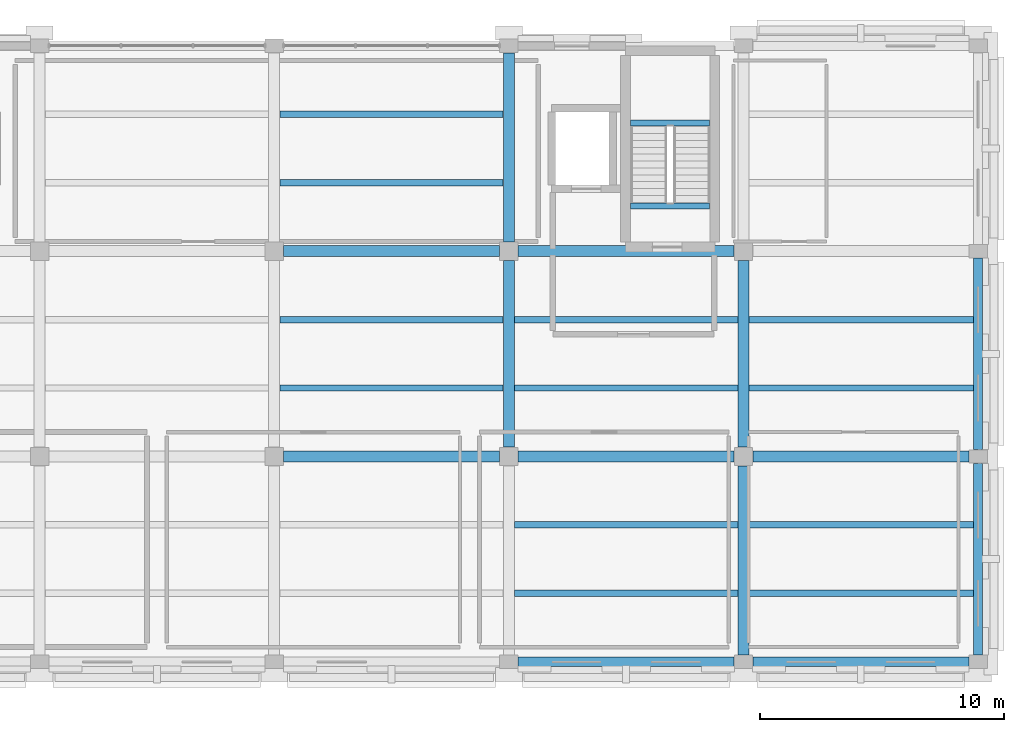
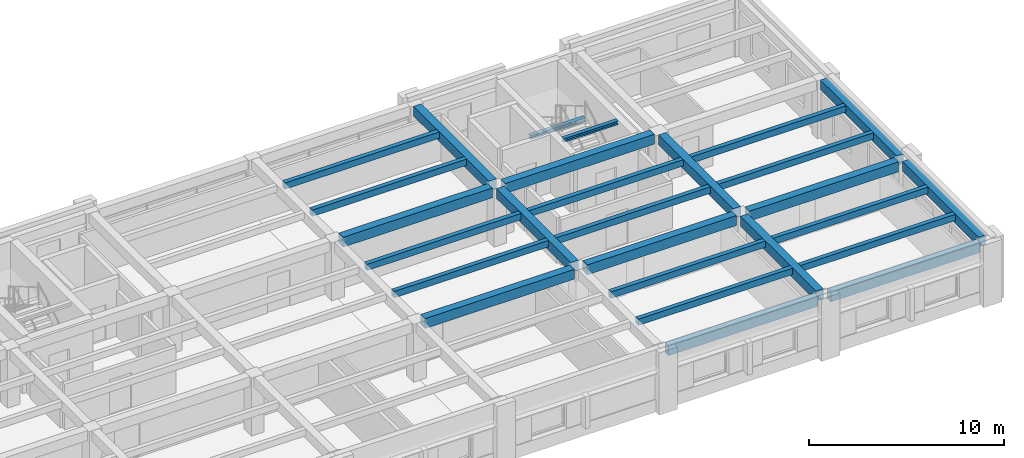
# One storey, part 3 of 11: 27 beams.
"""IFC4 building model written with IfcOpenShell, lengths in metres."""

from ifc_helpers import new_model, si_unit, direction, frame, origin, origin_2d, place, context, subcontext, project, spatial, rectangle, i_section, extrude, material, material_profile, profile_set, type_object, element, save


model = new_model("IFC4")

# Units and contexts
model_context = context("Model", 3, precision=1e-05, world=origin(), true_north=direction((0.0, 1.0)))
body_context = subcontext(model_context, "Body", "Model", "MODEL_VIEW")
ifc_project = project(units=[si_unit("LENGTHUNIT", "METRE"), si_unit("AREAUNIT", "SQUARE_METRE"), si_unit("VOLUMEUNIT", "CUBIC_METRE"), si_unit("PLANEANGLEUNIT", "RADIAN"), si_unit("MASSUNIT", "GRAM", prefix="KILO")], contexts=[model_context])

# Site, building, storey
site_placement = place(None, origin())
site = spatial("IfcSite", under=ifc_project, at=site_placement, CompositionType="ELEMENT")
building_placement = place(site_placement, origin())
building = spatial("IfcBuilding", under=site, at=building_placement, Name="Bempovik Park Faculty of Sciences", CompositionType="ELEMENT")
storey_placement = place(building_placement, frame((0.0, 0.0, 30.60009765625)))
storey = spatial("IfcBuildingStorey", under=building, at=storey_placement, Name="L07", CompositionType="ELEMENT", Elevation=30.60009765625)

# Beams
ifc_material_1 = material(Name="Concrete C35/45", Category="concrete")
ifc_material_profile_1 = material_profile(ifc_material_1, rectangle(XDim=0.3798828125, YDim=0.60009765625, at=origin_2d()), Name="RC 380x600")
ifc_profile_set_1 = profile_set([ifc_material_profile_1], Name="Concrete C35/45")
beam_type_1 = type_object("IfcBeamType", Name="B-032 RC 380x600", PredefinedType="SPANDREL", material=ifc_profile_set_1)
for number, where, z_axis, x_axis, name in (
    (1, (98.781005859375, 94.199951171875, 3.31982421875), (1.0, 0.0, 0.0), (0.0, 1.0, 0.0), "L07 Beam X (98.4-108.0, y=94.2)"),
    (2, (108.381103515625, 94.199951171875, 3.31982421875), (1.0, 0.0, 0.0), (0.0, 1.0, 0.0), "L07 Beam X (108.0-117.6, y=94.2)"),
):
    element("IfcBeam", number, at=place(storey_placement, frame(where, z_axis=z_axis, x_axis=x_axis)), inside=storey, type_object=beam_type_1, Name=name, PredefinedType="SPANDREL", context=body_context, shape_type="SweptSolid", body=[
        extrude(rectangle(XDim=0.3798828125, YDim=0.60009765625, at=origin_2d()), origin(), (0.0, 0.0, 1.0), 8.837890625),
    ])
beam_1_placement = place(storey_placement, frame((117.60009765625, 94.48095703125, 3.31982421875), z_axis=(0.0, 1.0, 0.0), x_axis=(-1.0, 0.0, 0.0)))
element("IfcBeam", 3, at=beam_1_placement, inside=storey, type_object=beam_type_1, Name="L07 Beam Y (x=117.6, 94.2-102.6)", PredefinedType="SPANDREL", context=body_context, shape_type="SweptSolid", body=[
    extrude(rectangle(XDim=0.3798828125, YDim=0.60009765625, at=origin_2d()), origin(), (0.0, 0.0, 1.0), 7.838134765625),
])
beam_2_placement = place(storey_placement, frame((117.60009765625, 102.881103515625, 3.31982421875), z_axis=(0.0, 1.0, 0.0), x_axis=(-1.0, 0.0, 0.0)))
element("IfcBeam", 4, at=beam_2_placement, inside=storey, type_object=beam_type_1, Name="L07 Beam Y (x=117.6, 102.6-111.0)", PredefinedType="SPANDREL", context=body_context, shape_type="SweptSolid", body=[
    extrude(rectangle(XDim=0.3798828125, YDim=0.60009765625, at=origin_2d()), origin(), (0.0, 0.0, 1.0), 7.837890625),
])
ifc_material_profile_2 = material_profile(ifc_material_1, rectangle(XDim=0.260009765625, YDim=0.39990234375, at=origin_2d()), Name="RC 260x400")
ifc_profile_set_2 = profile_set([ifc_material_profile_2], Name="Concrete C35/45")
beam_type_2 = type_object("IfcBeamType", Name="B-063 RC 260x400", PredefinedType="JOIST", material=ifc_profile_set_2)
for number, where, z_axis, x_axis, name in (
    (5, (89.031005859375, 105.39990234375, 3.419921875), (1.0, 0.0, 0.0), (0.0, 1.0, 0.0), "L07 Secondary Joist (88.8-98.4, y=105.40)"),
    (6, (89.031005859375, 108.199951171875, 3.419921875), (1.0, 0.0, 0.0), (0.0, 1.0, 0.0), "L07 Secondary Joist (88.8-98.4, y=108.20)"),
    (7, (89.031005859375, 113.800048828125, 3.419921875), (1.0, 0.0, 0.0), (0.0, 1.0, 0.0), "L07 Secondary Joist (88.8-98.4, y=113.80)"),
    (8, (89.031005859375, 116.60009765625, 3.419921875), (1.0, 0.0, 0.0), (0.0, 1.0, 0.0), "L07 Secondary Joist (88.8-98.4, y=116.60)"),
    (9, (98.631103515625, 97.0, 3.419921875), (1.0, 0.0, 0.0), (0.0, 1.0, 0.0), "L07 Secondary Joist (98.4-108.0, y=97.00)"),
    (10, (98.631103515625, 99.800048828125, 3.419921875), (1.0, 0.0, 0.0), (0.0, 1.0, 0.0), "L07 Secondary Joist (98.4-108.0, y=99.80)"),
    (11, (98.631103515625, 105.39990234375, 3.419921875), (1.0, 0.0, 0.0), (0.0, 1.0, 0.0), "L07 Secondary Joist (98.4-108.0, y=105.40)"),
    (12, (98.631103515625, 108.199951171875, 3.419921875), (1.0, 0.0, 0.0), (0.0, 1.0, 0.0), "L07 Secondary Joist (98.4-108.0, y=108.20)"),
):
    element("IfcBeam", number, at=place(storey_placement, frame(where, z_axis=z_axis, x_axis=x_axis)), inside=storey, type_object=beam_type_2, Name=name, PredefinedType="JOIST", context=body_context, shape_type="SweptSolid", body=[
        extrude(rectangle(XDim=0.260009765625, YDim=0.39990234375, at=origin_2d()), origin(), (0.0, 0.0, 1.0), 9.137939453125),
    ])
for number, where, z_axis, x_axis, name in (
    (13, (108.23095703125, 97.0, 3.419921875), (1.0, 0.0, 0.0), (0.0, 1.0, 0.0), "L07 Secondary Joist (108.0-117.6, y=97.00)"),
    (14, (108.23095703125, 99.800048828125, 3.419921875), (1.0, 0.0, 0.0), (0.0, 1.0, 0.0), "L07 Secondary Joist (108.0-117.6, y=99.80)"),
    (15, (108.23095703125, 105.39990234375, 3.419921875), (1.0, 0.0, 0.0), (0.0, 1.0, 0.0), "L07 Secondary Joist (108.0-117.6, y=105.40)"),
    (16, (108.23095703125, 108.199951171875, 3.419921875), (1.0, 0.0, 0.0), (0.0, 1.0, 0.0), "L07 Secondary Joist (108.0-117.6, y=108.20)"),
):
    element("IfcBeam", number, at=place(storey_placement, frame(where, z_axis=z_axis, x_axis=x_axis)), inside=storey, type_object=beam_type_2, Name=name, PredefinedType="JOIST", context=body_context, shape_type="SweptSolid", body=[
        extrude(rectangle(XDim=0.260009765625, YDim=0.39990234375, at=origin_2d()), origin(), (0.0, 0.0, 1.0), 9.173095703125),
    ])
ifc_material_2 = material(Name="Steel S355", Category="steel")
ifc_material_profile_3 = material_profile(ifc_material_2, i_section(OverallWidth=0.239990234375, OverallDepth=0.22998046875, WebThickness=0.007568359375, FlangeThickness=0.011962890625, at=origin_2d()), Name="HEA 240")
ifc_profile_set_3 = profile_set([ifc_material_profile_3], Name="Steel S355")
beam_type_3 = type_object("IfcBeamType", Name="B-070 HEA 240", PredefinedType="BEAM", material=ifc_profile_set_3)
for number, where, z_axis, x_axis, name in (
    (17, (103.381103515625, 116.24365234375, 1.635009765625), (1.0, 0.0, 0.0), (0.0, 1.0, 0.0), "L07 ST-2 Half-Landing Trimmer Beam"),
    (18, (103.381103515625, 112.85009765625, 3.5048828125), (1.0, 0.0, 0.0), (0.0, 1.0, 0.0), "L08 ST-2 Floor Landing Trimmer Beam"),
):
    element("IfcBeam", number, at=place(storey_placement, frame(where, z_axis=z_axis, x_axis=x_axis)), inside=storey, type_object=beam_type_3, Name=name, PredefinedType="BEAM", context=body_context, shape_type="SweptSolid", body=[
        extrude(i_section(OverallWidth=0.239990234375, OverallDepth=0.22998046875, WebThickness=0.007568359375, FlangeThickness=0.011962890625, at=origin_2d()), origin(), (0.0, 0.0, 1.0), 3.23779296875),
    ])
ifc_material_profile_4 = material_profile(ifc_material_1, rectangle(XDim=0.449951171875, YDim=0.6201171875, at=origin_2d()), Name="RC 450x620")
ifc_profile_set_4 = profile_set([ifc_material_profile_4], Name="Concrete C35/45")
beam_type_4 = type_object("IfcBeamType", Name="B-114 RC 450x620", PredefinedType="BEAM", material=ifc_profile_set_4)
beam_3_placement = place(storey_placement, frame((89.180908203125, 102.60009765625, 3.309814453125), z_axis=(1.0, 0.0, 0.0), x_axis=(0.0, 1.0, 0.0)))
element("IfcBeam", 19, at=beam_3_placement, inside=storey, type_object=beam_type_4, Name="L07 Beam X (88.8-98.4, y=102.6)", PredefinedType="BEAM", context=body_context, shape_type="SweptSolid", body=[
    extrude(rectangle(XDim=0.449951171875, YDim=0.6201171875, at=origin_2d()), origin(), (0.0, 0.0, 1.0), 8.838134765625),
])
for number, where, z_axis, x_axis, name in (
    (20, (98.781005859375, 102.60009765625, 3.309814453125), (1.0, 0.0, 0.0), (0.0, 1.0, 0.0), "L07 Beam X (98.4-108.0, y=102.6)"),
    (21, (108.381103515625, 102.60009765625, 3.309814453125), (1.0, 0.0, 0.0), (0.0, 1.0, 0.0), "L07 Beam X (108.0-117.6, y=102.6)"),
):
    element("IfcBeam", number, at=place(storey_placement, frame(where, z_axis=z_axis, x_axis=x_axis)), inside=storey, type_object=beam_type_4, Name=name, PredefinedType="BEAM", context=body_context, shape_type="SweptSolid", body=[
        extrude(rectangle(XDim=0.449951171875, YDim=0.6201171875, at=origin_2d()), origin(), (0.0, 0.0, 1.0), 8.837890625),
    ])
beam_4_placement = place(storey_placement, frame((89.180908203125, 111.0, 3.309814453125), z_axis=(1.0, 0.0, 0.0), x_axis=(0.0, 1.0, 0.0)))
element("IfcBeam", 22, at=beam_4_placement, inside=storey, type_object=beam_type_4, Name="L07 Beam X (88.8-98.4, y=111.0)", PredefinedType="BEAM", context=body_context, shape_type="SweptSolid", body=[
    extrude(rectangle(XDim=0.449951171875, YDim=0.6201171875, at=origin_2d()), origin(), (0.0, 0.0, 1.0), 8.838134765625),
])
beam_5_placement = place(storey_placement, frame((98.781005859375, 111.0, 3.309814453125), z_axis=(1.0, 0.0, 0.0), x_axis=(0.0, 1.0, 0.0)))
element("IfcBeam", 23, at=beam_5_placement, inside=storey, type_object=beam_type_4, Name="L07 Beam X (98.4-108.0, y=111.0)", PredefinedType="BEAM", context=body_context, shape_type="SweptSolid", body=[
    extrude(rectangle(XDim=0.449951171875, YDim=0.6201171875, at=origin_2d()), origin(), (0.0, 0.0, 1.0), 8.837890625),
])
beam_6_placement = place(storey_placement, frame((98.39990234375, 102.98095703125, 3.309814453125), z_axis=(0.0, 1.0, 0.0), x_axis=(-1.0, 0.0, 0.0)))
element("IfcBeam", 24, at=beam_6_placement, inside=storey, type_object=beam_type_4, Name="L07 Beam Y (x=98.4, 102.6-111.0)", PredefinedType="BEAM", context=body_context, shape_type="SweptSolid", body=[
    extrude(rectangle(XDim=0.449951171875, YDim=0.6201171875, at=origin_2d()), origin(), (0.0, 0.0, 1.0), 7.637939453125),
])
beam_7_placement = place(storey_placement, frame((98.39990234375, 111.381103515625, 3.309814453125), z_axis=(0.0, 1.0, 0.0), x_axis=(-1.0, 0.0, 0.0)))
element("IfcBeam", 25, at=beam_7_placement, inside=storey, type_object=beam_type_4, Name="L07 Beam Y (x=98.4, 111.0-119.4)", PredefinedType="BEAM", context=body_context, shape_type="SweptSolid", body=[
    extrude(rectangle(XDim=0.449951171875, YDim=0.6201171875, at=origin_2d()), origin(), (0.0, 0.0, 1.0), 7.73779296875),
])
beam_8_placement = place(storey_placement, frame((108.0, 94.48095703125, 3.309814453125), z_axis=(0.0, 1.0, 0.0), x_axis=(-1.0, 0.0, 0.0)))
element("IfcBeam", 26, at=beam_8_placement, inside=storey, type_object=beam_type_4, Name="L07 Beam Y (x=108.0, 94.2-102.6)", PredefinedType="BEAM", context=body_context, shape_type="SweptSolid", body=[
    extrude(rectangle(XDim=0.449951171875, YDim=0.6201171875, at=origin_2d()), origin(), (0.0, 0.0, 1.0), 7.738037109375),
])
beam_9_placement = place(storey_placement, frame((108.0, 102.98095703125, 3.309814453125), z_axis=(0.0, 1.0, 0.0), x_axis=(-1.0, 0.0, 0.0)))
element("IfcBeam", 27, at=beam_9_placement, inside=storey, type_object=beam_type_4, Name="L07 Beam Y (x=108.0, 102.6-111.0)", PredefinedType="BEAM", context=body_context, shape_type="SweptSolid", body=[
    extrude(rectangle(XDim=0.449951171875, YDim=0.6201171875, at=origin_2d()), origin(), (0.0, 0.0, 1.0), 7.637939453125),
])

save(model, "model.ifc")
